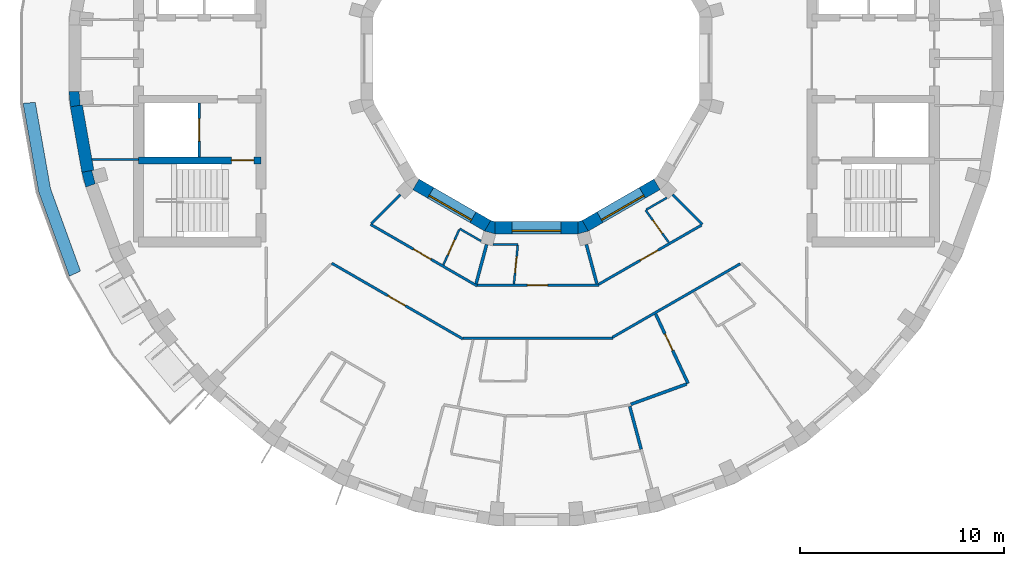
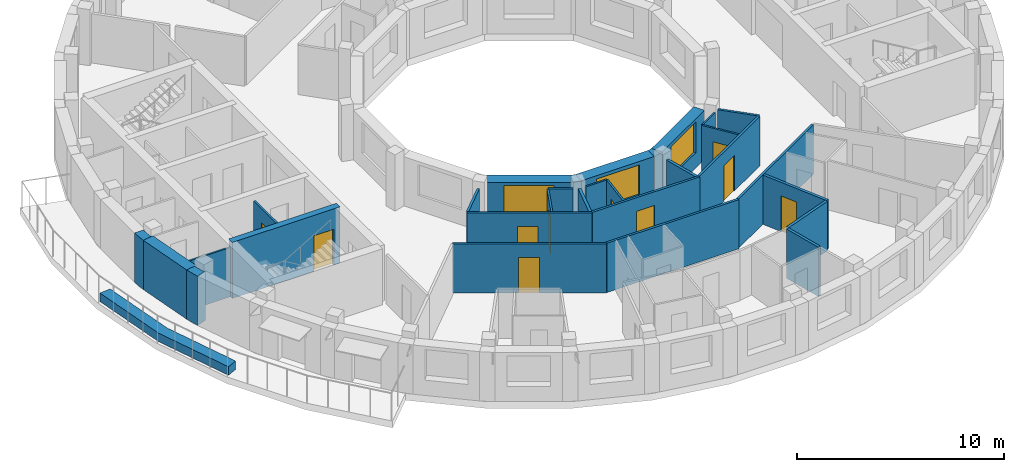
# One storey, part 3 of 10: 31 walls, 10 doors, 3 windows, 13 openings.
"""IFC4 building model written with IfcOpenShell, lengths in metres."""

from ifc_helpers import new_model, si_unit, direction, frame, frame_2d, origin, place, context, subcontext, project, spatial, polyline, rectangle, outline, extrude, material, layer, layer_set, type_object, element, fill, save


model = new_model("IFC4")

# Units and contexts
model_context = context("Model", 3, precision=1e-05, world=origin(), true_north=direction((0.0, 1.0)))
body_context = subcontext(model_context, "Body", "Model", "MODEL_VIEW")
ifc_project = project(units=[si_unit("LENGTHUNIT", "METRE"), si_unit("AREAUNIT", "SQUARE_METRE"), si_unit("VOLUMEUNIT", "CUBIC_METRE"), si_unit("PLANEANGLEUNIT", "RADIAN"), si_unit("MASSUNIT", "GRAM", prefix="KILO")], contexts=[model_context])

# Site, building, storey
site_placement = place(None, origin())
site = spatial("IfcSite", under=ifc_project, at=site_placement, CompositionType="ELEMENT")
building_placement = place(site_placement, origin())
building = spatial("IfcBuilding", under=site, at=building_placement, Name="Saqina Gate Tower", CompositionType="ELEMENT")
storey_placement = place(building_placement, frame((0.0, 0.0, 256.10009765625)))
storey = spatial("IfcBuildingStorey", under=building, at=storey_placement, Name="L73", CompositionType="ELEMENT", Elevation=256.10009765625)

# Walls
ifc_material_1 = material(Name="Brick masonry (buff)", Category="masonry")
wall_type_1 = type_object("IfcWallType", Name="BRICK PIER COPING BUFF", PredefinedType="SOLIDWALL", material=ifc_material_1)
wall_1_placement = place(storey_placement, origin())
element("IfcWall", 1, at=wall_1_placement, inside=storey, type_object=wall_type_1, Name="Pier cap L73 column 19", PredefinedType="SOLIDWALL", context=body_context, shape_type="SweptSolid", body=[
    extrude(outline(polyline([(-22.91259765625, -1.625732421875), (-22.8466796875, -2.377685546875), (-22.255859375, -2.2734375), (-22.361083984375, -2.28271484375), (-22.417724609375, -1.635009765625), (-22.3125, -1.625732421875), (-22.91259765625, -1.625732421875)])), origin(), (0.0, 0.0, 1.0), 2.89990234375),
])
wall_2_placement = place(storey_placement, origin())
element("IfcWall", 2, at=wall_2_placement, inside=storey, type_object=wall_type_1, Name="Pier cap L73 column 20", PredefinedType="SOLIDWALL", context=body_context, shape_type="SweptSolid", body=[
    extrude(outline(polyline([(-22.0869140625, -6.30859375), (-21.52294921875, -6.103515625), (-21.625, -6.130859375), (-21.793212890625, -5.5029296875), (-21.691162109375, -5.4755859375), (-22.281982421875, -5.579833984375), (-22.0869140625, -6.30859375)])), origin(), (0.0, 0.0, 1.0), 2.89990234375),
])
ifc_material_2 = material(Name="Gypsum board on steel studs", Category="steel")
ifc_layer_1 = layer(ifc_material_2, 0.10009765625)
ifc_layer_set_1 = layer_set([ifc_layer_1], Name="CORE PARTITION")
wall_type_2 = type_object("IfcWallType", Name="CORE PARTITION", PredefinedType="PARTITIONING", material=ifc_layer_set_1)
wall_3_placement = place(storey_placement, frame((-19.5, -4.949951171875, 0.0), z_axis=(0.0, 0.0, 1.0), x_axis=(-1.0, 0.0, 0.0)))
element("IfcWall", 3, at=wall_3_placement, inside=storey, type_object=wall_type_2, Name="L73-CP-W04", PredefinedType="PARTITIONING", context=body_context, shape_type="SweptSolid", body=[
    extrude(rectangle(XDim=2.283935546875, YDim=0.10009765625, at=frame_2d((1.14208984375, 0.0))), origin(), (0.0, 0.0, 1.0), 2.89990234375),
])
ifc_material_3 = material(Name="Glazed ceramic tile (white)", Category="ceramic")
ifc_layer_2 = layer(ifc_material_3, 0.60009765625)
ifc_layer_set_2 = layer_set([ifc_layer_2], Name="FW-TILE-WH")
wall_type_3 = type_object("IfcWallType", Name="FW-TILE-WH", PredefinedType="SOLIDWALL", material=ifc_layer_set_2)
wall_4_placement = place(storey_placement, frame((-22.55126953125, -2.325439453125, 0.0), z_axis=(0.0, 0.0, 1.0), x_axis=(0.173656842178, -0.984806225186, 0.0)))
element("IfcWall", 4, at=wall_4_placement, inside=storey, type_object=wall_type_3, Name="Facade wall L73 facet 19", PredefinedType="SOLIDWALL", context=body_context, shape_type="SweptSolid", body=[
    extrude(rectangle(XDim=3.251708984375, YDim=0.60009765625, at=frame_2d((1.6259765625, 0.0))), origin(), (0.0, 0.0, 1.0), 2.89990234375),
])

# Wall, opening, window
ifc_material_4 = material(Name="Glazed ceramic tile", Category="ceramic")
ifc_layer_3 = layer(ifc_material_4, 0.60009765625)
ifc_layer_set_3 = layer_set([ifc_layer_3], Name="IW-TILE")
wall_type_4 = type_object("IfcWallType", Name="IW-TILE", PredefinedType="SOLIDWALL", material=ifc_layer_set_3)
wall_5_placement = place(storey_placement, frame((-5.907470703125, -6.17333984375, 0.0), z_axis=(0.0, 0.0, 1.0), x_axis=(0.866028316509, -0.499994954979, 0.0)))
wall_5 = element("IfcWall", 5, at=wall_5_placement, inside=storey, type_object=wall_type_4, Name="Well wall L73 facet 8", PredefinedType="SOLIDWALL", context=body_context, shape_type="SweptSolid", body=[
    extrude(rectangle(XDim=4.05859375, YDim=0.60009765625, at=frame_2d((2.029296875, 0.0))), origin(), (0.0, 0.0, 1.0), 2.89990234375),
])
opening_1_placement = place(wall_5_placement, frame((0.829345703125, 0.0, 0.89990234375)))
opening_1 = element("IfcOpeningElement", 6, at=opening_1_placement, cuts=wall_5, Name="Opening G21-W32", PredefinedType="OPENING", context=body_context, shape_type="SweptSolid", body=[
    extrude(rectangle(XDim=2.39990234375, YDim=1.800048828125, at=frame_2d((1.199951171875, 0.89990234375))), frame((0.0, 0.31201171875, 0.0), z_axis=(0.0, -1.0, 0.0), x_axis=(1.0, 0.0, 0.0)), (0.0, 0.0, 1.0), 0.6240234375),
])
ifc_material_5 = material(Name="Aluminium glazing", Category="aluminium")
window_type = type_object("IfcWindowType", Name="WN-W", PartitioningType="SINGLE_PANEL", PredefinedType="WINDOW", material=ifc_material_5)
window_1_placement = place(opening_1_placement, origin())
window_1 = element("IfcWindow", 7, at=window_1_placement, inside=storey, type_object=window_type, Name="Well window L73 facet 8", OverallHeight=1.800048828125, OverallWidth=2.39990234375, PartitioningType="SINGLE_PANEL", PredefinedType="WINDOW", context=body_context, shape_type="SweptSolid", body=[
    extrude(rectangle(XDim=2.39990234375, YDim=1.800048828125, at=frame_2d((1.199951171875, 0.89990234375))), frame((0.0, -0.119873046875, 0.0), z_axis=(0.0, -1.0, 0.0), x_axis=(1.0, 0.0, 0.0)), (0.0, 0.0, 1.0), 0.06005859375),
])
fill(opening_1, window_1)

wall_6_placement = place(storey_placement, frame((-2.029296875, -8.300048828125, 0.0), z_axis=(0.0, 0.0, 1.0), x_axis=(1.0, 0.0, 0.0)))
wall_6 = element("IfcWall", 8, at=wall_6_placement, inside=storey, type_object=wall_type_4, Name="Well wall L73 facet 9", PredefinedType="SOLIDWALL", context=body_context, shape_type="SweptSolid", body=[
    extrude(rectangle(XDim=4.05859375, YDim=0.60009765625, at=frame_2d((2.029296875, 0.0))), origin(), (0.0, 0.0, 1.0), 2.89990234375),
])
opening_2_placement = place(wall_6_placement, frame((0.829345703125, 0.0, 0.89990234375)))
opening_2 = element("IfcOpeningElement", 9, at=opening_2_placement, cuts=wall_6, Name="Opening G21-W33", PredefinedType="OPENING", context=body_context, shape_type="SweptSolid", body=[
    extrude(rectangle(XDim=2.39990234375, YDim=1.800048828125, at=frame_2d((1.199951171875, 0.89990234375))), frame((0.0, 0.31201171875, 0.0), z_axis=(0.0, -1.0, 0.0), x_axis=(1.0, 0.0, 0.0)), (0.0, 0.0, 1.0), 0.6240234375),
])
window_2_placement = place(opening_2_placement, origin())
window_2 = element("IfcWindow", 10, at=window_2_placement, inside=storey, type_object=window_type, Name="Well window L73 facet 9", OverallHeight=1.800048828125, OverallWidth=2.39990234375, PartitioningType="SINGLE_PANEL", PredefinedType="WINDOW", context=body_context, shape_type="SweptSolid", body=[
    extrude(rectangle(XDim=2.39990234375, YDim=1.800048828125, at=frame_2d((1.199951171875, 0.89990234375))), frame((0.0, -0.119873046875, 0.0), z_axis=(0.0, -1.0, 0.0), x_axis=(1.0, 0.0, 0.0)), (0.0, 0.0, 1.0), 0.06005859375),
])
fill(opening_2, window_2)

wall_7_placement = place(storey_placement, frame((2.392578125, -8.20263671875, 0.0), z_axis=(0.0, 0.0, 1.0), x_axis=(0.866028316509, 0.499994954979, 0.0)))
wall_7 = element("IfcWall", 11, at=wall_7_placement, inside=storey, type_object=wall_type_4, Name="Well wall L73 facet 10", PredefinedType="SOLIDWALL", context=body_context, shape_type="SweptSolid", body=[
    extrude(rectangle(XDim=4.05859375, YDim=0.60009765625, at=frame_2d((2.029296875, 0.0))), origin(), (0.0, 0.0, 1.0), 2.89990234375),
])
opening_3_placement = place(wall_7_placement, frame((0.829345703125, 0.0, 0.89990234375)))
opening_3 = element("IfcOpeningElement", 12, at=opening_3_placement, cuts=wall_7, Name="Opening G21-W34", PredefinedType="OPENING", context=body_context, shape_type="SweptSolid", body=[
    extrude(rectangle(XDim=2.39990234375, YDim=1.800048828125, at=frame_2d((1.199951171875, 0.89990234375))), frame((0.0, 0.31201171875, 0.0), z_axis=(0.0, -1.0, 0.0), x_axis=(1.0, 0.0, 0.0)), (0.0, 0.0, 1.0), 0.6240234375),
])
window_3_placement = place(opening_3_placement, origin())
window_3 = element("IfcWindow", 13, at=window_3_placement, inside=storey, type_object=window_type, Name="Well window L73 facet 10", OverallHeight=1.800048828125, OverallWidth=2.39990234375, PartitioningType="SINGLE_PANEL", PredefinedType="WINDOW", context=body_context, shape_type="SweptSolid", body=[
    extrude(rectangle(XDim=2.39990234375, YDim=1.800048828125, at=frame_2d((1.199951171875, 0.89990234375))), frame((0.0, -0.119873046875, 0.0), z_axis=(0.0, -1.0, 0.0), x_axis=(1.0, 0.0, 0.0)), (0.0, 0.0, 1.0), 0.06005859375),
])
fill(opening_3, window_3)

# Wall, opening, door
ifc_material_6 = material(Name="Gypsum board on steel studs, 100 mm", Category="steel")
ifc_layer_4 = layer(ifc_material_6, 0.10009765625)
ifc_layer_set_4 = layer_set([ifc_layer_4], Name="PARTITION 100")
wall_type_5 = type_object("IfcWallType", Name="PARTITION 100", PredefinedType="PARTITIONING", material=ifc_layer_set_4)
wall_8_placement = place(storey_placement, frame((5.344970703125, -7.43310546875, 0.0), z_axis=(0.0, 0.0, 1.0), x_axis=(0.583667050837, -0.811993087266, 0.0)))
wall_8 = element("IfcWall", 14, at=wall_8_placement, inside=storey, type_object=wall_type_5, Name="PARTITION PW3-12", PredefinedType="PARTITIONING", context=body_context, shape_type="SweptSolid", body=[
    extrude(rectangle(XDim=1.947021484375, YDim=0.10009765625, at=frame_2d((0.9736328125, 0.0))), origin(), (0.0, 0.0, 1.0), 2.89990234375),
])
opening_4_placement = place(wall_8_placement, frame((0.60498046875, 0.0, 0.0)))
opening_4 = element("IfcOpeningElement", 15, at=opening_4_placement, cuts=wall_8, Name="Opening G21-D42", PredefinedType="OPENING", context=body_context, shape_type="SweptSolid", body=[
    extrude(rectangle(XDim=0.800048828125, YDim=2.10009765625, at=frame_2d((0.39990234375, 1.050048828125))), frame((0.0, 0.06201171875, 0.0), z_axis=(0.0, -1.0, 0.0), x_axis=(1.0, 0.0, 0.0)), (0.0, 0.0, 1.0), 0.1240234375),
])
ifc_material_7 = material(Name="Timber door leaf, 800 mm", Category="wood")
door_type_1 = type_object("IfcDoorType", Name="DOOR 800 TIMBER", OperationType="SINGLE_SWING_LEFT", PredefinedType="DOOR", material=ifc_material_7)
door_1_placement = place(opening_4_placement, origin())
door_1 = element("IfcDoor", 16, at=door_1_placement, inside=storey, type_object=door_type_1, Name="DOOR G21-D42", OperationType="SINGLE_SWING_LEFT", OverallHeight=2.10009765625, OverallWidth=0.800048828125, PredefinedType="DOOR", context=body_context, shape_type="SweptSolid", body=[
    extrude(rectangle(XDim=0.800048828125, YDim=2.10009765625, at=frame_2d((0.39990234375, 1.050048828125))), frame((0.0, 0.02490234375, 0.0), z_axis=(0.0, -1.0, 0.0), x_axis=(1.0, 0.0, 0.0)), (0.0, 0.0, 1.0), 0.050048828125),
])
fill(opening_4, door_1)

# Walls
wall_9_placement = place(storey_placement, frame((-3.764892578125, -8.345947265625, 0.0), z_axis=(0.0, 0.0, 1.0), x_axis=(0.866057664494, -0.499944118649, 0.0)))
element("IfcWall", 17, at=wall_9_placement, inside=storey, type_object=wall_type_5, Name="PARTITION PW3-16", PredefinedType="PARTITIONING", context=body_context, shape_type="SweptSolid", body=[
    extrude(rectangle(XDim=1.207763671875, YDim=0.10009765625, at=frame_2d((0.60400390625, 0.0))), origin(), (0.0, 0.0, 1.0), 2.89990234375),
])
wall_10_placement = place(storey_placement, frame((-2.1201171875, -9.110107421875, 0.0), z_axis=(0.0, 0.0, 1.0), x_axis=(1.0, 0.0, 0.0)))
element("IfcWall", 18, at=wall_10_placement, inside=storey, type_object=wall_type_5, Name="PARTITION PW3-25", PredefinedType="PARTITIONING", context=body_context, shape_type="SweptSolid", body=[
    extrude(rectangle(XDim=1.2080078125, YDim=0.10009765625, at=frame_2d((0.60400390625, 0.0))), origin(), (0.0, 0.0, 1.0), 2.89990234375),
])
wall_11_placement = place(storey_placement, frame((5.388427734375, -7.407958984375, 0.0), z_axis=(0.0, 0.0, 1.0), x_axis=(0.866132916787, 0.499813735764, 0.0)))
element("IfcWall", 19, at=wall_11_placement, inside=storey, type_object=wall_type_5, Name="PARTITION PW3-33", PredefinedType="PARTITIONING", context=body_context, shape_type="SweptSolid", body=[
    extrude(rectangle(XDim=1.15771484375, YDim=0.10009765625, at=frame_2d((0.578857421875, 0.0))), origin(), (0.0, 0.0, 1.0), 2.89990234375),
])

# Wall, opening, door
wall_12_placement = place(storey_placement, frame((-4.566162109375, -10.12060546875, 0.0), z_axis=(0.0, 0.0, 1.0), x_axis=(0.411445339517, 0.911434436803, 0.0)))
wall_12 = element("IfcWall", 20, at=wall_12_placement, inside=storey, type_object=wall_type_5, Name="PARTITION PW3-42", PredefinedType="PARTITIONING", context=body_context, shape_type="SweptSolid", body=[
    extrude(rectangle(XDim=1.89697265625, YDim=0.10009765625, at=frame_2d((0.948486328125, 0.0))), origin(), (0.0, 0.0, 1.0), 2.89990234375),
])
opening_5_placement = place(wall_12_placement, frame((0.5419921875, 0.0, 0.0)))
opening_5 = element("IfcOpeningElement", 21, at=opening_5_placement, cuts=wall_12, Name="Opening G21-D28", PredefinedType="OPENING", context=body_context, shape_type="SweptSolid", body=[
    extrude(rectangle(XDim=0.800048828125, YDim=2.10009765625, at=frame_2d((0.39990234375, 1.050048828125))), frame((0.0, 0.06201171875, 0.0), z_axis=(0.0, -1.0, 0.0), x_axis=(1.0, 0.0, 0.0)), (0.0, 0.0, 1.0), 0.1240234375),
])
door_2_placement = place(opening_5_placement, frame((0.800048828125, 0.0, 0.0), z_axis=(0.0, 0.0, 1.0), x_axis=(-1.0, 0.0, 0.0)))
door_2 = element("IfcDoor", 22, at=door_2_placement, inside=storey, type_object=door_type_1, Name="DOOR G21-D28", OperationType="SINGLE_SWING_LEFT", OverallHeight=2.10009765625, OverallWidth=0.800048828125, PredefinedType="DOOR", context=body_context, shape_type="SweptSolid", body=[
    extrude(rectangle(XDim=0.800048828125, YDim=2.10009765625, at=frame_2d((0.39990234375, 1.050048828125))), frame((0.0, 0.02490234375, 0.0), z_axis=(0.0, -1.0, 0.0), x_axis=(1.0, 0.0, 0.0)), (0.0, 0.0, 1.0), 0.050048828125),
])
fill(opening_5, door_2)

wall_13_placement = place(storey_placement, frame((-1.105712890625, -11.0478515625, 0.0), z_axis=(0.0, 0.0, 1.0), x_axis=(0.09945276516, 0.995042284278, 0.0)))
wall_13 = element("IfcWall", 23, at=wall_13_placement, inside=storey, type_object=wall_type_5, Name="PARTITION PW3-48", PredefinedType="PARTITIONING", context=body_context, shape_type="SweptSolid", body=[
    extrude(rectangle(XDim=1.897705078125, YDim=0.10009765625, at=frame_2d((0.94873046875, 0.0))), origin(), (0.0, 0.0, 1.0), 2.89990234375),
])
opening_6_placement = place(wall_13_placement, frame((0.54248046875, 0.0, 0.0)))
opening_6 = element("IfcOpeningElement", 24, at=opening_6_placement, cuts=wall_13, Name="Opening G21-D33", PredefinedType="OPENING", context=body_context, shape_type="SweptSolid", body=[
    extrude(rectangle(XDim=0.800048828125, YDim=2.10009765625, at=frame_2d((0.39990234375, 1.050048828125))), frame((0.0, 0.06201171875, 0.0), z_axis=(0.0, -1.0, 0.0), x_axis=(1.0, 0.0, 0.0)), (0.0, 0.0, 1.0), 0.1240234375),
])
door_3_placement = place(opening_6_placement, frame((0.800048828125, 0.0, 0.0), z_axis=(0.0, 0.0, 1.0), x_axis=(-1.0, 0.0, 0.0)))
door_3 = element("IfcDoor", 25, at=door_3_placement, inside=storey, type_object=door_type_1, Name="DOOR G21-D33", OperationType="SINGLE_SWING_RIGHT", OverallHeight=2.10009765625, OverallWidth=0.800048828125, PredefinedType="DOOR", context=body_context, shape_type="SweptSolid", body=[
    extrude(rectangle(XDim=0.800048828125, YDim=2.10009765625, at=frame_2d((0.39990234375, 1.050048828125))), frame((0.0, 0.02490234375, 0.0), z_axis=(0.0, -1.0, 0.0), x_axis=(1.0, 0.0, 0.0)), (0.0, 0.0, 1.0), 0.050048828125),
])
fill(opening_6, door_3)

# Wall
ifc_material_8 = material(Name="Gypsum board on steel studs, 125 mm, fire rated", Category="steel")
ifc_layer_5 = layer(ifc_material_8, 0.125)
ifc_layer_set_5 = layer_set([ifc_layer_5], Name="PARTITION EI 30 125")
wall_type_6 = type_object("IfcWallType", Name="PARTITION EI 30 125", PredefinedType="PARTITIONING", material=ifc_layer_set_5)
wall_14_placement = place(storey_placement, frame((6.6767578125, -6.6767578125, 0.0), z_axis=(0.0, 0.0, 1.0), x_axis=(0.707106781187, -0.707106781187, 0.0)))
element("IfcWall", 26, at=wall_14_placement, inside=storey, type_object=wall_type_6, Name="PARTITION PW1-06", PredefinedType="PARTITIONING", context=body_context, shape_type="SweptSolid", body=[
    extrude(rectangle(XDim=2.0595703125, YDim=0.125, at=frame_2d((1.02978515625, 0.0))), origin(), (0.0, 0.0, 1.0), 2.89990234375),
])

# Wall, opening, door
wall_15_placement = place(storey_placement, frame((-10.035888671875, -10.035888671875, 0.0), z_axis=(0.0, 0.0, 1.0), x_axis=(0.865964194244, -0.500106003051, 0.0)))
wall_15 = element("IfcWall", 27, at=wall_15_placement, inside=storey, type_object=wall_type_6, Name="PARTITION PW1-09", PredefinedType="PARTITIONING", context=body_context, shape_type="SweptSolid", body=[
    extrude(rectangle(XDim=7.419921875, YDim=0.125, at=frame_2d((3.7099609375, 0.0))), origin(), (0.0, 0.0, 1.0), 2.89990234375),
])
opening_7_placement = place(wall_15_placement, frame((3.17333984375, 0.0, 0.0)))
opening_7 = element("IfcOpeningElement", 28, at=opening_7_placement, cuts=wall_15, Name="Opening G21-D26", PredefinedType="OPENING", context=body_context, shape_type="SweptSolid", body=[
    extrude(rectangle(XDim=1.0, YDim=2.10009765625, at=frame_2d((0.5, 1.050048828125))), frame((0.0, 0.074462890625, 0.0), z_axis=(0.0, -1.0, 0.0), x_axis=(1.0, 0.0, 0.0)), (0.0, 0.0, 1.0), 0.14892578125),
])
ifc_material_9 = material(Name="Fire door leaf EI 30, 1000 mm")
door_type_2 = type_object("IfcDoorType", Name="DOOR 1000 EI 30", OperationType="SINGLE_SWING_LEFT", PredefinedType="DOOR", material=ifc_material_9)
door_4_placement = place(opening_7_placement, frame((1.0, 0.0, 0.0), z_axis=(0.0, 0.0, 1.0), x_axis=(-1.0, 0.0, 0.0)))
door_4 = element("IfcDoor", 29, at=door_4_placement, inside=storey, type_object=door_type_2, Name="DOOR G21-D26", OperationType="SINGLE_SWING_RIGHT", OverallHeight=2.10009765625, OverallWidth=1.0, PredefinedType="DOOR", context=body_context, shape_type="SweptSolid", body=[
    extrude(rectangle(XDim=1.0, YDim=2.10009765625, at=frame_2d((0.5, 1.050048828125))), frame((0.0, 0.02490234375, 0.0), z_axis=(0.0, -1.0, 0.0), x_axis=(1.0, 0.0, 0.0)), (0.0, 0.0, 1.0), 0.050048828125),
])
fill(opening_7, door_4)

wall_16_placement = place(storey_placement, frame((-8.133056640625, -8.133056640625, 0.0), z_axis=(0.0, 0.0, 1.0), x_axis=(0.866022982797, -0.500004193249, 0.0)))
wall_16 = element("IfcWall", 30, at=wall_16_placement, inside=storey, type_object=wall_type_6, Name="PARTITION PW1-10", PredefinedType="PARTITIONING", context=body_context, shape_type="SweptSolid", body=[
    extrude(rectangle(XDim=6.02587890625, YDim=0.125, at=frame_2d((3.012939453125, 0.0))), origin(), (0.0, 0.0, 1.0), 2.89990234375),
])
opening_8_placement = place(wall_16_placement, frame((2.42626953125, 0.0, 0.0)))
opening_8 = element("IfcOpeningElement", 31, at=opening_8_placement, cuts=wall_16, Name="Opening G21-D25", PredefinedType="OPENING", context=body_context, shape_type="SweptSolid", body=[
    extrude(rectangle(XDim=1.0, YDim=2.10009765625, at=frame_2d((0.5, 1.050048828125))), frame((0.0, 0.074462890625, 0.0), z_axis=(0.0, -1.0, 0.0), x_axis=(1.0, 0.0, 0.0)), (0.0, 0.0, 1.0), 0.14892578125),
])
door_5_placement = place(opening_8_placement, origin())
door_5 = element("IfcDoor", 32, at=door_5_placement, inside=storey, type_object=door_type_2, Name="DOOR G21-D25", OperationType="SINGLE_SWING_RIGHT", OverallHeight=2.10009765625, OverallWidth=1.0, PredefinedType="DOOR", context=body_context, shape_type="SweptSolid", body=[
    extrude(rectangle(XDim=1.0, YDim=2.10009765625, at=frame_2d((0.5, 1.050048828125))), frame((0.0, 0.02490234375, 0.0), z_axis=(0.0, -1.0, 0.0), x_axis=(1.0, 0.0, 0.0)), (0.0, 0.0, 1.0), 0.050048828125),
])
fill(opening_8, door_5)

# Wall
wall_17_placement = place(storey_placement, frame((-3.610595703125, -13.7099609375, 0.0), z_axis=(0.0, 0.0, 1.0), x_axis=(1.0, 0.0, 0.0)))
element("IfcWall", 33, at=wall_17_placement, inside=storey, type_object=wall_type_6, Name="PARTITION PW1-17", PredefinedType="PARTITIONING", context=body_context, shape_type="SweptSolid", body=[
    extrude(rectangle(XDim=7.356689453125, YDim=0.125, at=frame_2d((3.67822265625, 0.0))), origin(), (0.0, 0.0, 1.0), 2.89990234375),
])

# Wall, opening, door
wall_18_placement = place(storey_placement, frame((-2.91455078125, -11.110107421875, 0.0), z_axis=(0.0, 0.0, 1.0), x_axis=(1.0, 0.0, 0.0)))
wall_18 = element("IfcWall", 34, at=wall_18_placement, inside=storey, type_object=wall_type_6, Name="PARTITION PW1-18", PredefinedType="PARTITIONING", context=body_context, shape_type="SweptSolid", body=[
    extrude(rectangle(XDim=5.97802734375, YDim=0.125, at=frame_2d((2.989013671875, 0.0))), origin(), (0.0, 0.0, 1.0), 2.89990234375),
])
opening_9_placement = place(wall_18_placement, frame((2.465087890625, 0.0, 0.0)))
opening_9 = element("IfcOpeningElement", 35, at=opening_9_placement, cuts=wall_18, Name="Opening G21-D35", PredefinedType="OPENING", context=body_context, shape_type="SweptSolid", body=[
    extrude(rectangle(XDim=1.0, YDim=2.10009765625, at=frame_2d((0.5, 1.050048828125))), frame((0.0, 0.074462890625, 0.0), z_axis=(0.0, -1.0, 0.0), x_axis=(1.0, 0.0, 0.0)), (0.0, 0.0, 1.0), 0.14892578125),
])
door_6_placement = place(opening_9_placement, frame((1.0, 0.0, 0.0), z_axis=(0.0, 0.0, 1.0), x_axis=(-1.0, 0.0, 0.0)))
door_6 = element("IfcDoor", 36, at=door_6_placement, inside=storey, type_object=door_type_2, Name="DOOR G21-D35", OperationType="SINGLE_SWING_RIGHT", OverallHeight=2.10009765625, OverallWidth=1.0, PredefinedType="DOOR", context=body_context, shape_type="SweptSolid", body=[
    extrude(rectangle(XDim=1.0, YDim=2.10009765625, at=frame_2d((0.5, 1.050048828125))), frame((0.0, 0.02490234375, 0.0), z_axis=(0.0, -1.0, 0.0), x_axis=(1.0, 0.0, 0.0)), (0.0, 0.0, 1.0), 0.050048828125),
])
fill(opening_9, door_6)

# Wall
wall_19_placement = place(storey_placement, frame((3.723388671875, -13.67041015625, 0.0), z_axis=(0.0, 0.0, 1.0), x_axis=(0.866630430442, 0.498950595783, 0.0)))
element("IfcWall", 37, at=wall_19_placement, inside=storey, type_object=wall_type_6, Name="PARTITION PW1-23", PredefinedType="PARTITIONING", context=body_context, shape_type="SweptSolid", body=[
    extrude(rectangle(XDim=7.2216796875, YDim=0.125, at=frame_2d((3.61083984375, 0.0))), origin(), (0.0, 0.0, 1.0), 2.89990234375),
])

# Wall, opening, door
wall_20_placement = place(storey_placement, frame((3.0419921875, -11.072509765625, 0.0), z_axis=(0.0, 0.0, 1.0), x_axis=(0.866951194634, 0.498393043814, 0.0)))
wall_20 = element("IfcWall", 38, at=wall_20_placement, inside=storey, type_object=wall_type_6, Name="PARTITION PW1-24", PredefinedType="PARTITIONING", context=body_context, shape_type="SweptSolid", body=[
    extrude(rectangle(XDim=5.816162109375, YDim=0.125, at=frame_2d((2.908203125, 0.0))), origin(), (0.0, 0.0, 1.0), 2.89990234375),
])
opening_10_placement = place(wall_20_placement, frame((2.351318359375, 0.0, 0.0)))
opening_10 = element("IfcOpeningElement", 39, at=opening_10_placement, cuts=wall_20, Name="Opening G21-D38", PredefinedType="OPENING", context=body_context, shape_type="SweptSolid", body=[
    extrude(rectangle(XDim=1.0, YDim=2.10009765625, at=frame_2d((0.5, 1.050048828125))), frame((0.0, 0.074462890625, 0.0), z_axis=(0.0, -1.0, 0.0), x_axis=(1.0, 0.0, 0.0)), (0.0, 0.0, 1.0), 0.14892578125),
])
door_7_placement = place(opening_10_placement, origin())
door_7 = element("IfcDoor", 40, at=door_7_placement, inside=storey, type_object=door_type_2, Name="DOOR G21-D38", OperationType="SINGLE_SWING_RIGHT", OverallHeight=2.10009765625, OverallWidth=1.0, PredefinedType="DOOR", context=body_context, shape_type="SweptSolid", body=[
    extrude(rectangle(XDim=1.0, YDim=2.10009765625, at=frame_2d((0.5, 1.050048828125))), frame((0.0, 0.02490234375, 0.0), z_axis=(0.0, -1.0, 0.0), x_axis=(1.0, 0.0, 0.0)), (0.0, 0.0, 1.0), 0.050048828125),
])
fill(opening_10, door_7)

# Walls
wall_21_placement = place(storey_placement, frame((-8.0888671875, -8.0888671875, 0.0), z_axis=(0.0, 0.0, 1.0), x_axis=(0.707106781187, 0.707106781187, 0.0)))
element("IfcWall", 41, at=wall_21_placement, inside=storey, type_object=wall_type_6, Name="PARTITION PW1-28", PredefinedType="PARTITIONING", context=body_context, shape_type="SweptSolid", body=[
    extrude(rectangle(XDim=1.9970703125, YDim=0.125, at=frame_2d((0.99853515625, 0.0))), origin(), (0.0, 0.0, 1.0), 2.89990234375),
])
ifc_material_10 = material(Name="Gypsum board on steel studs, 150 mm, fire rated", Category="steel")
ifc_layer_6 = layer(ifc_material_10, 0.14990234375)
ifc_layer_set_6 = layer_set([ifc_layer_6], Name="PARTITION EI 60 150")
wall_type_7 = type_object("IfcWallType", Name="PARTITION EI 60 150", PredefinedType="PARTITIONING", material=ifc_layer_set_6)
wall_22_placement = place(storey_placement, frame((4.569580078125, -17.052490234375, 0.0), z_axis=(0.0, 0.0, 1.0), x_axis=(0.257984618888, -0.966149023918, 0.0)))
element("IfcWall", 42, at=wall_22_placement, inside=storey, type_object=wall_type_7, Name="PARTITION PW2-02", PredefinedType="PARTITIONING", context=body_context, shape_type="SweptSolid", body=[
    extrude(rectangle(XDim=2.1708984375, YDim=0.14990234375, at=frame_2d((1.08544921875, 0.0))), origin(), (0.0, 0.0, 1.0), 2.89990234375),
])
wall_23_placement = place(storey_placement, frame((2.444091796875, -9.120361328125, 0.0), z_axis=(0.0, 0.0, 1.0), x_axis=(0.258894940689, -0.965905486932, 0.0)))
element("IfcWall", 43, at=wall_23_placement, inside=storey, type_object=wall_type_7, Name="PARTITION PW2-03", PredefinedType="PARTITIONING", context=body_context, shape_type="SweptSolid", body=[
    extrude(rectangle(XDim=1.997314453125, YDim=0.14990234375, at=frame_2d((0.99853515625, 0.0))), origin(), (0.0, 0.0, 1.0), 2.89990234375),
])

# Wall, opening, door
wall_24_placement = place(storey_placement, frame((5.841796875, -12.530029296875, 0.0), z_axis=(0.0, 0.0, 1.0), x_axis=(0.422999465209, -0.906129931319, 0.0)))
wall_24 = element("IfcWall", 44, at=wall_24_placement, inside=storey, type_object=wall_type_7, Name="PARTITION PW2-04", PredefinedType="PARTITIONING", context=body_context, shape_type="SweptSolid", body=[
    extrude(rectangle(XDim=3.75146484375, YDim=0.14990234375, at=frame_2d((1.875732421875, 0.0))), origin(), (0.0, 0.0, 1.0), 2.89990234375),
])
opening_11_placement = place(wall_24_placement, frame((1.067626953125, 0.0, 0.0)))
opening_11 = element("IfcOpeningElement", 45, at=opening_11_placement, cuts=wall_24, Name="Opening G21-D37", PredefinedType="OPENING", context=body_context, shape_type="SweptSolid", body=[
    extrude(rectangle(XDim=0.89990234375, YDim=2.10009765625, at=frame_2d((0.449951171875, 1.050048828125))), frame((0.0, 0.0869140625, 0.0), z_axis=(0.0, -1.0, 0.0), x_axis=(1.0, 0.0, 0.0)), (0.0, 0.0, 1.0), 0.173828125),
])
ifc_material_11 = material(Name="Fire door leaf EI 30, 900 mm")
door_type_3 = type_object("IfcDoorType", Name="DOOR 900 EI 30", OperationType="SINGLE_SWING_LEFT", PredefinedType="DOOR", material=ifc_material_11)
door_8_placement = place(opening_11_placement, origin())
door_8 = element("IfcDoor", 46, at=door_8_placement, inside=storey, type_object=door_type_3, Name="DOOR G21-D37", OperationType="SINGLE_SWING_LEFT", OverallHeight=2.10009765625, OverallWidth=0.89990234375, PredefinedType="DOOR", context=body_context, shape_type="SweptSolid", body=[
    extrude(rectangle(XDim=0.89990234375, YDim=2.10009765625, at=frame_2d((0.449951171875, 1.050048828125))), frame((0.0, 0.02490234375, 0.0), z_axis=(0.0, -1.0, 0.0), x_axis=(1.0, 0.0, 0.0)), (0.0, 0.0, 1.0), 0.050048828125),
])
fill(opening_11, door_8)

# Walls
wall_25_placement = place(storey_placement, frame((4.62060546875, -16.95458984375, 0.0), z_axis=(0.0, 0.0, 1.0), x_axis=(0.939663701092, 0.342099589082, 0.0)))
element("IfcWall", 47, at=wall_25_placement, inside=storey, type_object=wall_type_7, Name="PARTITION PW2-07", PredefinedType="PARTITIONING", context=body_context, shape_type="SweptSolid", body=[
    extrude(rectangle(XDim=2.913818359375, YDim=0.14990234375, at=frame_2d((1.45703125, 0.0))), origin(), (0.0, 0.0, 1.0), 2.89990234375),
])
wall_26_placement = place(storey_placement, frame((-2.960693359375, -11.049560546875, 0.0), z_axis=(0.0, 0.0, 1.0), x_axis=(0.258780892738, 0.965936048377, 0.0)))
element("IfcWall", 48, at=wall_26_placement, inside=storey, type_object=wall_type_7, Name="PARTITION PW2-09", PredefinedType="PARTITIONING", context=body_context, shape_type="SweptSolid", body=[
    extrude(rectangle(XDim=1.997314453125, YDim=0.14990234375, at=frame_2d((0.99853515625, 0.0))), origin(), (0.0, 0.0, 1.0), 2.89990234375),
])
ifc_material_12 = material(Name="Brick masonry (red)", Category="masonry")
ifc_layer_7 = layer(ifc_material_12, 0.60009765625)
ifc_layer_set_7 = layer_set([ifc_layer_7], Name="PL-PLANTER")
wall_type_8 = type_object("IfcWallType", Name="PL-PLANTER", PredefinedType="PARAPET", material=ifc_layer_set_7)
wall_27_placement = place(storey_placement, origin())
element("IfcWall", 49, at=wall_27_placement, inside=storey, type_object=wall_type_8, Name="Planter L73", PredefinedType="PARAPET", context=body_context, shape_type="SweptSolid", body=[
    extrude(outline(polyline([(-25.16259765625, -2.201416015625), (-24.39794921875, -6.537353515625), (-22.89208984375, -10.6748046875), (-22.34619140625, -10.420166015625), (-23.816162109375, -6.381591796875), (-24.5625, -2.14892578125), (-25.16259765625, -2.201416015625)])), origin(), (0.0, 0.0, 1.0), 0.5),
])

# Wall, opening, door
ifc_material_13 = material(Name="Autoclaved aerated concrete block", Category="concrete")
ifc_layer_8 = layer(ifc_material_13, 0.1201171875)
ifc_layer_set_8 = layer_set([ifc_layer_8], Name="SHAFT PARTITION")
wall_type_9 = type_object("IfcWallType", Name="SHAFT PARTITION", PredefinedType="PARTITIONING", material=ifc_layer_set_8)
wall_28_placement = place(storey_placement, frame((-16.530029296875, -4.824951171875, 0.0), z_axis=(0.0, 0.0, 1.0), x_axis=(0.0, 1.0, 0.0)))
wall_28 = element("IfcWall", 50, at=wall_28_placement, inside=storey, type_object=wall_type_9, Name="L73-CP-W09", PredefinedType="PARTITIONING", context=body_context, shape_type="SweptSolid", body=[
    extrude(rectangle(XDim=2.64990234375, YDim=0.1201171875, at=frame_2d((1.324951171875, 0.0))), origin(), (0.0, 0.0, 1.0), 2.89990234375),
])
opening_12_placement = place(wall_28_placement, frame((0.77490234375, 0.0, 0.0)))
opening_12 = element("IfcOpeningElement", 51, at=opening_12_placement, cuts=wall_28, Name="Opening G21-LD6", PredefinedType="OPENING", context=body_context, shape_type="SweptSolid", body=[
    extrude(rectangle(XDim=1.10009765625, YDim=2.10009765625, at=frame_2d((0.550048828125, 1.050048828125))), frame((0.0, 0.072021484375, 0.0), z_axis=(0.0, -1.0, 0.0), x_axis=(1.0, 0.0, 0.0)), (0.0, 0.0, 1.0), 0.14404296875),
])
ifc_material_14 = material(Name="Stainless steel", Category="steel")
door_type_4 = type_object("IfcDoorType", Name="LANDING DOOR", OperationType="DOUBLE_DOOR_SLIDING", PredefinedType="DOOR", material=ifc_material_14)
door_9_placement = place(opening_12_placement, origin())
door_9 = element("IfcDoor", 52, at=door_9_placement, inside=storey, type_object=door_type_4, Name="LANDING DOOR FF2", OperationType="DOUBLE_DOOR_SLIDING", OverallHeight=2.10009765625, OverallWidth=1.10009765625, PredefinedType="DOOR", context=body_context, shape_type="SweptSolid", body=[
    extrude(rectangle(XDim=1.10009765625, YDim=2.10009765625, at=frame_2d((0.550048828125, 1.050048828125))), frame((0.0, 0.02490234375, 0.0), z_axis=(0.0, -1.0, 0.0), x_axis=(1.0, 0.0, 0.0)), (0.0, 0.0, 1.0), 0.050048828125),
])
fill(opening_12, door_9)

ifc_material_15 = material(Name="Concrete C60/75", Category="concrete")
ifc_layer_9 = layer(ifc_material_15, 0.35009765625)
ifc_layer_set_9 = layer_set([ifc_layer_9], Name="Concrete C60/75")
wall_type_10 = type_object("IfcWallType", Name="STR-CORE WALL-D-I", PredefinedType="SHEAR", material=ifc_layer_set_9)
wall_29_placement = place(storey_placement, frame((-13.5, -5.0, 0.0), z_axis=(0.0, 0.0, 1.0), x_axis=(-1.0, 0.0, 0.0)))
wall_29 = element("IfcWall", 53, at=wall_29_placement, inside=storey, type_object=wall_type_10, Name="CORE WALL L73 W-X2", PredefinedType="SHEAR", context=body_context, shape_type="SweptSolid", body=[
    extrude(rectangle(XDim=6.0, YDim=0.35009765625, at=frame_2d((3.0, 0.0))), origin(), (0.0, 0.0, 1.0), 3.2998046875),
])
opening_13_placement = place(wall_29_placement, frame((0.35009765625, 0.0, 0.0)))
opening_13 = element("IfcOpeningElement", 54, at=opening_13_placement, cuts=wall_29, Name="Opening G21-D108", PredefinedType="OPENING", context=body_context, shape_type="SweptSolid", body=[
    extrude(rectangle(XDim=1.10009765625, YDim=2.10009765625, at=frame_2d((0.550048828125, 1.050048828125))), frame((0.0, 0.18701171875, 0.0), z_axis=(0.0, -1.0, 0.0), x_axis=(1.0, 0.0, 0.0)), (0.0, 0.0, 1.0), 0.3740234375),
])
ifc_material_16 = material(Name="Steel", Category="steel")
door_type_5 = type_object("IfcDoorType", Name="FIRE LOBBY DOOR EI 60 WIDE", OperationType="SINGLE_SWING_LEFT", PredefinedType="DOOR", material=ifc_material_16)
door_10_placement = place(opening_13_placement, origin())
door_10 = element("IfcDoor", 55, at=door_10_placement, inside=storey, type_object=door_type_5, Name="L73-CD-W19", OperationType="SINGLE_SWING_LEFT", OverallHeight=2.10009765625, OverallWidth=1.10009765625, PredefinedType="DOOR", context=body_context, shape_type="SweptSolid", body=[
    extrude(rectangle(XDim=1.10009765625, YDim=2.10009765625, at=frame_2d((0.550048828125, 1.050048828125))), frame((0.0, 0.02490234375, 0.0), z_axis=(0.0, -1.0, 0.0), x_axis=(1.0, 0.0, 0.0)), (0.0, 0.0, 1.0), 0.050048828125),
])
fill(opening_13, door_10)

# Walls
ifc_material_17 = material(Name="Glazed ceramic tile", Category="ceramic")
wall_type_11 = type_object("IfcWallType", Name="TILE PIER COPING", PredefinedType="SOLIDWALL", material=ifc_material_17)
wall_30_placement = place(storey_placement, origin())
element("IfcWall", 56, at=wall_30_placement, inside=storey, type_object=wall_type_11, Name="Well pier cap L73 column 9", PredefinedType="SOLIDWALL", context=body_context, shape_type="SweptSolid", body=[
    extrude(outline(polyline([(-2.029296875, -8.60009765625), (-2.029296875, -8.0), (-2.242431640625, -7.94287109375), (-2.54248046875, -8.46240234375), (-2.029296875, -8.60009765625)])), origin(), (0.0, 0.0, 1.0), 2.89990234375),
])
wall_31_placement = place(storey_placement, origin())
element("IfcWall", 57, at=wall_31_placement, inside=storey, type_object=wall_type_11, Name="Well pier cap L73 column 10", PredefinedType="SOLIDWALL", context=body_context, shape_type="SweptSolid", body=[
    extrude(outline(polyline([(2.54248046875, -8.46240234375), (2.242431640625, -7.94287109375), (2.029296875, -8.0), (2.029296875, -8.60009765625), (2.54248046875, -8.46240234375)])), origin(), (0.0, 0.0, 1.0), 2.89990234375),
])

save(model, "model.ifc")
